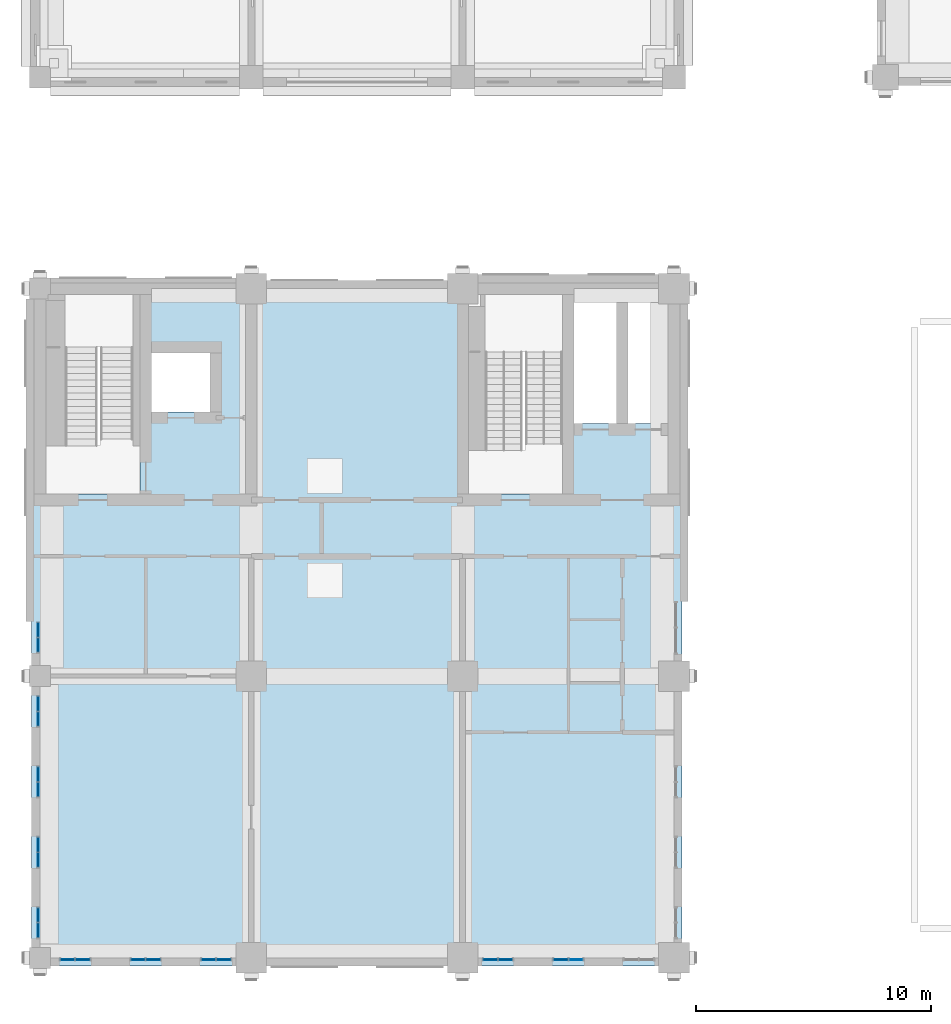
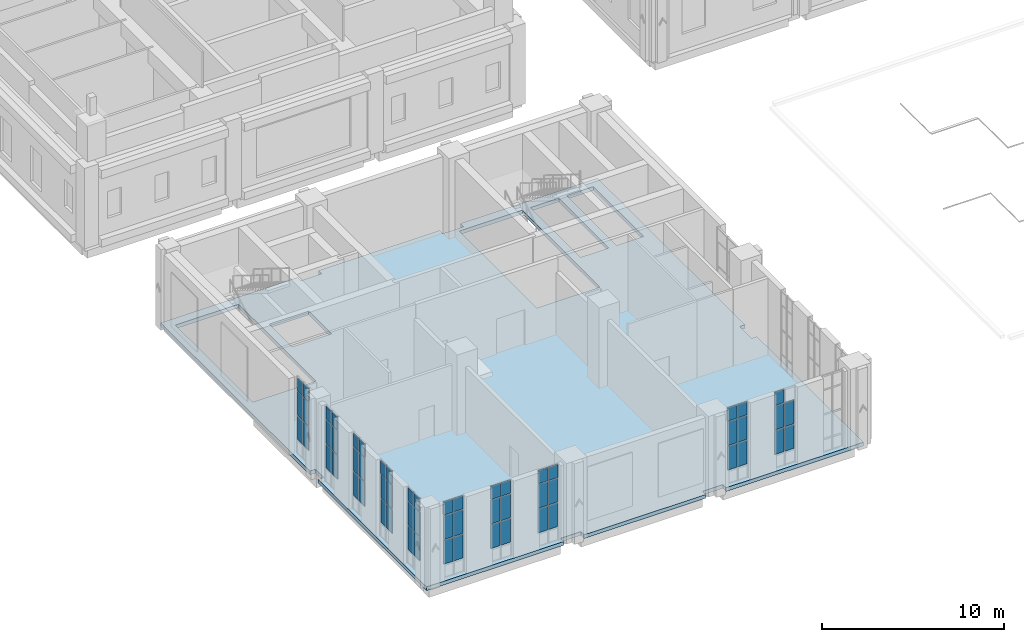
# One storey, part 12 of 37: 59 plates, 1 slab, 10 elements without a shape of their own.
"""IFC4 building model written with IfcOpenShell, lengths in metres."""

from ifc_helpers import new_model, si_unit, direction, frame, origin, origin_2d, place, context, subcontext, project, spatial, polyline, rectangle, outline, extrude, material, layer, layer_set, type_object, element, aggregate, save


model = new_model("IFC4")

# Units and contexts
model_context = context("Model", 3, precision=1e-05, world=origin(), true_north=direction((0.0, 1.0)))
body_context = subcontext(model_context, "Body", "Model", "MODEL_VIEW")
ifc_project = project(units=[si_unit("LENGTHUNIT", "METRE"), si_unit("AREAUNIT", "SQUARE_METRE"), si_unit("VOLUMEUNIT", "CUBIC_METRE"), si_unit("PLANEANGLEUNIT", "RADIAN"), si_unit("MASSUNIT", "GRAM", prefix="KILO")], contexts=[model_context])

# Site, building, storey
site_placement = place(None, origin())
site = spatial("IfcSite", under=ifc_project, at=site_placement, CompositionType="ELEMENT")
building_placement = place(site_placement, origin())
building = spatial("IfcBuilding", under=site, at=building_placement, Name="Aurelan Courthouse", CompositionType="ELEMENT")
storey_placement = place(building_placement, frame((0.0, 0.0, 17.39990234375)))
storey = spatial("IfcBuildingStorey", under=building, at=storey_placement, Name="L03", CompositionType="ELEMENT", Elevation=17.39990234375)

# Curtain wall, plates
ifc_material_1 = material(Name="Bronze-finished aluminium and glass", Category="aluminium")
ifc_layer_1 = layer(ifc_material_1, 0.14990234375)
ifc_layer_set_1 = layer_set([ifc_layer_1], Name="Bronze-finished aluminium and glass")
curtain_wall_type = type_object("IfcCurtainWallType", Name="Curtain wall 1350 x 5150", PredefinedType="NOTDEFINED", material=ifc_layer_set_1)
curtain_wall_1_placement = place(storey_placement, origin())
curtain_wall_1 = element("IfcCurtainWall", 1, at=curtain_wall_1_placement, inside=storey, type_object=curtain_wall_type, Name="Curtain wall CW-V5-L03-S01", PredefinedType="NOTDEFINED")
ifc_material_2 = material(Name="Limestone cladding", Category="masonry")
ifc_layer_2 = layer(ifc_material_2, 0.0400390625, Name="Facing")
ifc_material_3 = material(Name="Bronze sheet cladding", Category="bronze")
ifc_layer_3 = layer(ifc_material_3, 0.02001953125, Name="Back sheet")
ifc_layer_set_2 = layer_set([ifc_layer_2, ifc_layer_3], Name="Limestone cladding")
plate_type_1 = type_object("IfcPlateType", Name="Limestone spandrel panel with bronze back sheet 60", PredefinedType="CURTAIN_PANEL", material=ifc_layer_set_2)
plate_1_placement = place(storey_placement, frame((1.177490234375, -0.074951171875, 4.22998046875), z_axis=(0.0, 0.0, 1.0), x_axis=(1.0, 0.0, 0.0)))
plate_1 = element("IfcPlate", 2, at=plate_1_placement, type_object=plate_type_1, Name="CW-V5-L03-S01 spandrel panel 1.4", PredefinedType="CURTAIN_PANEL", context=body_context, shape_type="SweptSolid", body=[
    extrude(rectangle(XDim=0.5849609375, YDim=0.06005859375, at=origin_2d()), origin(), (0.0, 0.0, 1.0), 0.860107421875),
])
plate_2_placement = place(storey_placement, frame((1.822509765625, -0.074951171875, 4.22998046875), z_axis=(0.0, 0.0, 1.0), x_axis=(1.0, 0.0, 0.0)))
plate_2 = element("IfcPlate", 3, at=plate_2_placement, type_object=plate_type_1, Name="CW-V5-L03-S01 spandrel panel 2.4", PredefinedType="CURTAIN_PANEL", context=body_context, shape_type="SweptSolid", body=[
    extrude(rectangle(XDim=0.5849609375, YDim=0.06005859375, at=origin_2d()), origin(), (0.0, 0.0, 1.0), 0.860107421875),
])

curtain_wall_2_placement = place(storey_placement, origin())
curtain_wall_2 = element("IfcCurtainWall", 4, at=curtain_wall_2_placement, inside=storey, type_object=curtain_wall_type, Name="Curtain wall CW-V5-L03-S02", PredefinedType="NOTDEFINED")
plate_3_placement = place(storey_placement, frame((4.177490234375, -0.074951171875, 4.22998046875), z_axis=(0.0, 0.0, 1.0), x_axis=(1.0, 0.0, 0.0)))
plate_3 = element("IfcPlate", 5, at=plate_3_placement, type_object=plate_type_1, Name="CW-V5-L03-S02 spandrel panel 1.4", PredefinedType="CURTAIN_PANEL", context=body_context, shape_type="SweptSolid", body=[
    extrude(rectangle(XDim=0.5849609375, YDim=0.06005859375, at=origin_2d()), origin(), (0.0, 0.0, 1.0), 0.860107421875),
])
plate_4_placement = place(storey_placement, frame((4.822509765625, -0.074951171875, 4.22998046875), z_axis=(0.0, 0.0, 1.0), x_axis=(1.0, 0.0, 0.0)))
plate_4 = element("IfcPlate", 6, at=plate_4_placement, type_object=plate_type_1, Name="CW-V5-L03-S02 spandrel panel 2.4", PredefinedType="CURTAIN_PANEL", context=body_context, shape_type="SweptSolid", body=[
    extrude(rectangle(XDim=0.5849609375, YDim=0.06005859375, at=origin_2d()), origin(), (0.0, 0.0, 1.0), 0.860107421875),
])

curtain_wall_3_placement = place(storey_placement, origin())
curtain_wall_3 = element("IfcCurtainWall", 7, at=curtain_wall_3_placement, inside=storey, type_object=curtain_wall_type, Name="Curtain wall CW-V5-L03-S03", PredefinedType="NOTDEFINED")
plate_5_placement = place(storey_placement, frame((7.177490234375, -0.074951171875, 4.22998046875), z_axis=(0.0, 0.0, 1.0), x_axis=(1.0, 0.0, 0.0)))
plate_5 = element("IfcPlate", 8, at=plate_5_placement, type_object=plate_type_1, Name="CW-V5-L03-S03 spandrel panel 1.4", PredefinedType="CURTAIN_PANEL", context=body_context, shape_type="SweptSolid", body=[
    extrude(rectangle(XDim=0.5849609375, YDim=0.06005859375, at=origin_2d()), origin(), (0.0, 0.0, 1.0), 0.860107421875),
])
plate_6_placement = place(storey_placement, frame((7.822509765625, -0.074951171875, 4.22998046875), z_axis=(0.0, 0.0, 1.0), x_axis=(1.0, 0.0, 0.0)))
plate_6 = element("IfcPlate", 9, at=plate_6_placement, type_object=plate_type_1, Name="CW-V5-L03-S03 spandrel panel 2.4", PredefinedType="CURTAIN_PANEL", context=body_context, shape_type="SweptSolid", body=[
    extrude(rectangle(XDim=0.5849609375, YDim=0.06005859375, at=origin_2d()), origin(), (0.0, 0.0, 1.0), 0.860107421875),
])

curtain_wall_4_placement = place(storey_placement, origin())
curtain_wall_4 = element("IfcCurtainWall", 10, at=curtain_wall_4_placement, inside=storey, type_object=curtain_wall_type, Name="Curtain wall CW-V5-L03-S04", PredefinedType="NOTDEFINED")
plate_7_placement = place(storey_placement, frame((19.177490234375, -0.074951171875, 4.22998046875), z_axis=(0.0, 0.0, 1.0), x_axis=(1.0, 0.0, 0.0)))
plate_7 = element("IfcPlate", 11, at=plate_7_placement, type_object=plate_type_1, Name="CW-V5-L03-S04 spandrel panel 1.4", PredefinedType="CURTAIN_PANEL", context=body_context, shape_type="SweptSolid", body=[
    extrude(rectangle(XDim=0.5849609375, YDim=0.06005859375, at=origin_2d()), origin(), (0.0, 0.0, 1.0), 0.860107421875),
])
plate_8_placement = place(storey_placement, frame((19.822509765625, -0.074951171875, 4.22998046875), z_axis=(0.0, 0.0, 1.0), x_axis=(1.0, 0.0, 0.0)))
plate_8 = element("IfcPlate", 12, at=plate_8_placement, type_object=plate_type_1, Name="CW-V5-L03-S04 spandrel panel 2.4", PredefinedType="CURTAIN_PANEL", context=body_context, shape_type="SweptSolid", body=[
    extrude(rectangle(XDim=0.5849609375, YDim=0.06005859375, at=origin_2d()), origin(), (0.0, 0.0, 1.0), 0.860107421875),
])

# Curtain wall, plate
curtain_wall_5_placement = place(storey_placement, origin())
curtain_wall_5 = element("IfcCurtainWall", 13, at=curtain_wall_5_placement, inside=storey, type_object=curtain_wall_type, Name="Curtain wall CW-V5-L03-S05", PredefinedType="NOTDEFINED")
plate_9_placement = place(storey_placement, frame((22.177490234375, -0.074951171875, 4.22998046875), z_axis=(0.0, 0.0, 1.0), x_axis=(1.0, 0.0, 0.0)))
plate_9 = element("IfcPlate", 14, at=plate_9_placement, type_object=plate_type_1, Name="CW-V5-L03-S05 spandrel panel 1.4", PredefinedType="CURTAIN_PANEL", context=body_context, shape_type="SweptSolid", body=[
    extrude(rectangle(XDim=0.5849609375, YDim=0.06005859375, at=origin_2d()), origin(), (0.0, 0.0, 1.0), 0.860107421875),
])

# Curtain wall, plates
curtain_wall_6_placement = place(storey_placement, origin())
curtain_wall_6 = element("IfcCurtainWall", 15, at=curtain_wall_6_placement, inside=storey, type_object=curtain_wall_type, Name="Curtain wall CW-V5-L03-W01", PredefinedType="NOTDEFINED")
plate_10_placement = place(storey_placement, frame((-0.074951171875, 1.177490234375, 4.22998046875), z_axis=(0.0, 0.0, 1.0), x_axis=(0.0, 1.0, 0.0)))
plate_10 = element("IfcPlate", 16, at=plate_10_placement, type_object=plate_type_1, Name="CW-V5-L03-W01 spandrel panel 1.4", PredefinedType="CURTAIN_PANEL", context=body_context, shape_type="SweptSolid", body=[
    extrude(rectangle(XDim=0.5849609375, YDim=0.06005859375, at=origin_2d()), origin(), (0.0, 0.0, 1.0), 0.860107421875),
])
plate_11_placement = place(storey_placement, frame((-0.074951171875, 1.822509765625, 4.22998046875), z_axis=(0.0, 0.0, 1.0), x_axis=(0.0, 1.0, 0.0)))
plate_11 = element("IfcPlate", 17, at=plate_11_placement, type_object=plate_type_1, Name="CW-V5-L03-W01 spandrel panel 2.4", PredefinedType="CURTAIN_PANEL", context=body_context, shape_type="SweptSolid", body=[
    extrude(rectangle(XDim=0.5849609375, YDim=0.06005859375, at=origin_2d()), origin(), (0.0, 0.0, 1.0), 0.860107421875),
])

curtain_wall_7_placement = place(storey_placement, origin())
curtain_wall_7 = element("IfcCurtainWall", 18, at=curtain_wall_7_placement, inside=storey, type_object=curtain_wall_type, Name="Curtain wall CW-V5-L03-W02", PredefinedType="NOTDEFINED")
plate_12_placement = place(storey_placement, frame((-0.074951171875, 4.177490234375, 4.22998046875), z_axis=(0.0, 0.0, 1.0), x_axis=(0.0, 1.0, 0.0)))
plate_12 = element("IfcPlate", 19, at=plate_12_placement, type_object=plate_type_1, Name="CW-V5-L03-W02 spandrel panel 1.4", PredefinedType="CURTAIN_PANEL", context=body_context, shape_type="SweptSolid", body=[
    extrude(rectangle(XDim=0.5849609375, YDim=0.06005859375, at=origin_2d()), origin(), (0.0, 0.0, 1.0), 0.860107421875),
])
plate_13_placement = place(storey_placement, frame((-0.074951171875, 4.822509765625, 4.22998046875), z_axis=(0.0, 0.0, 1.0), x_axis=(0.0, 1.0, 0.0)))
plate_13 = element("IfcPlate", 20, at=plate_13_placement, type_object=plate_type_1, Name="CW-V5-L03-W02 spandrel panel 2.4", PredefinedType="CURTAIN_PANEL", context=body_context, shape_type="SweptSolid", body=[
    extrude(rectangle(XDim=0.5849609375, YDim=0.06005859375, at=origin_2d()), origin(), (0.0, 0.0, 1.0), 0.860107421875),
])

curtain_wall_8_placement = place(storey_placement, origin())
curtain_wall_8 = element("IfcCurtainWall", 21, at=curtain_wall_8_placement, inside=storey, type_object=curtain_wall_type, Name="Curtain wall CW-V5-L03-W03", PredefinedType="NOTDEFINED")
plate_14_placement = place(storey_placement, frame((-0.074951171875, 7.177490234375, 4.22998046875), z_axis=(0.0, 0.0, 1.0), x_axis=(0.0, 1.0, 0.0)))
plate_14 = element("IfcPlate", 22, at=plate_14_placement, type_object=plate_type_1, Name="CW-V5-L03-W03 spandrel panel 1.4", PredefinedType="CURTAIN_PANEL", context=body_context, shape_type="SweptSolid", body=[
    extrude(rectangle(XDim=0.5849609375, YDim=0.06005859375, at=origin_2d()), origin(), (0.0, 0.0, 1.0), 0.860107421875),
])
plate_15_placement = place(storey_placement, frame((-0.074951171875, 7.822509765625, 4.22998046875), z_axis=(0.0, 0.0, 1.0), x_axis=(0.0, 1.0, 0.0)))
plate_15 = element("IfcPlate", 23, at=plate_15_placement, type_object=plate_type_1, Name="CW-V5-L03-W03 spandrel panel 2.4", PredefinedType="CURTAIN_PANEL", context=body_context, shape_type="SweptSolid", body=[
    extrude(rectangle(XDim=0.5849609375, YDim=0.06005859375, at=origin_2d()), origin(), (0.0, 0.0, 1.0), 0.860107421875),
])

curtain_wall_9_placement = place(storey_placement, origin())
curtain_wall_9 = element("IfcCurtainWall", 24, at=curtain_wall_9_placement, inside=storey, type_object=curtain_wall_type, Name="Curtain wall CW-V5-L03-W04", PredefinedType="NOTDEFINED")
plate_16_placement = place(storey_placement, frame((-0.074951171875, 10.177490234375, 4.22998046875), z_axis=(0.0, 0.0, 1.0), x_axis=(0.0, 1.0, 0.0)))
plate_16 = element("IfcPlate", 25, at=plate_16_placement, type_object=plate_type_1, Name="CW-V5-L03-W04 spandrel panel 1.4", PredefinedType="CURTAIN_PANEL", context=body_context, shape_type="SweptSolid", body=[
    extrude(rectangle(XDim=0.5849609375, YDim=0.06005859375, at=origin_2d()), origin(), (0.0, 0.0, 1.0), 0.860107421875),
])
plate_17_placement = place(storey_placement, frame((-0.074951171875, 10.822509765625, 4.22998046875), z_axis=(0.0, 0.0, 1.0), x_axis=(0.0, 1.0, 0.0)))
plate_17 = element("IfcPlate", 26, at=plate_17_placement, type_object=plate_type_1, Name="CW-V5-L03-W04 spandrel panel 2.4", PredefinedType="CURTAIN_PANEL", context=body_context, shape_type="SweptSolid", body=[
    extrude(rectangle(XDim=0.5849609375, YDim=0.06005859375, at=origin_2d()), origin(), (0.0, 0.0, 1.0), 0.860107421875),
])

curtain_wall_10_placement = place(storey_placement, origin())
curtain_wall_10 = element("IfcCurtainWall", 27, at=curtain_wall_10_placement, inside=storey, type_object=curtain_wall_type, Name="Curtain wall CW-V5-L03-W05", PredefinedType="NOTDEFINED")
plate_18_placement = place(storey_placement, frame((-0.074951171875, 13.327392578125, 4.22998046875), z_axis=(0.0, 0.0, 1.0), x_axis=(0.0, 1.0, 0.0)))
plate_18 = element("IfcPlate", 28, at=plate_18_placement, type_object=plate_type_1, Name="CW-V5-L03-W05 spandrel panel 1.4", PredefinedType="CURTAIN_PANEL", context=body_context, shape_type="SweptSolid", body=[
    extrude(rectangle(XDim=0.5849609375, YDim=0.06005859375, at=origin_2d()), origin(), (0.0, 0.0, 1.0), 0.860107421875),
])
plate_19_placement = place(storey_placement, frame((-0.074951171875, 13.972412109375, 4.22998046875), z_axis=(0.0, 0.0, 1.0), x_axis=(0.0, 1.0, 0.0)))
plate_19 = element("IfcPlate", 29, at=plate_19_placement, type_object=plate_type_1, Name="CW-V5-L03-W05 spandrel panel 2.4", PredefinedType="CURTAIN_PANEL", context=body_context, shape_type="SweptSolid", body=[
    extrude(rectangle(XDim=0.5849609375, YDim=0.06005859375, at=origin_2d()), origin(), (0.0, 0.0, 1.0), 0.860107421875),
])

# Slab
ifc_material_4 = material(Name="Concrete C40", Category="concrete")
ifc_layer_4 = layer(ifc_material_4, 0.25)
ifc_layer_set_3 = layer_set([ifc_layer_4], Name="Concrete C40")
slab_type = type_object("IfcSlabType", Name="PT floor slab 250", PredefinedType="FLOOR", material=ifc_layer_set_3)
slab_placement = place(storey_placement, frame((0.0, 0.0, -0.25)))
element("IfcSlab", 30, at=slab_placement, inside=storey, type_object=slab_type, Name="Floor slab SL-L03-03", PredefinedType="FLOOR", context=body_context, shape_type="SweptSolid", body=[
    extrude(outline(polyline([(0.0, 12.449951171875), (0.0, 11.550048828125), (-0.35009765625, 11.550048828125), (-0.35009765625, 0.449951171875), (-0.35009765625, -0.35009765625), (0.449951171875, -0.35009765625), (8.35009765625, -0.35009765625), (8.35009765625, 0.0), (9.64990234375, 0.0), (9.64990234375, -0.35009765625), (17.35009765625, -0.35009765625), (17.35009765625, 0.0), (18.64990234375, 0.0), (18.64990234375, -0.35009765625), (26.35009765625, -0.35009765625), (27.35009765625, -0.35009765625), (27.35009765625, 0.64990234375), (27.35009765625, 11.35009765625), (27.0, 11.35009765625), (27.0, 12.64990234375), (27.35009765625, 12.64990234375), (27.35009765625, 27.85009765625), (27.35009765625, 28.85009765625), (26.35009765625, 28.85009765625), (18.64990234375, 28.85009765625), (18.64990234375, 28.5), (17.35009765625, 28.5), (17.35009765625, 28.85009765625), (9.64990234375, 28.85009765625), (9.64990234375, 28.5), (8.35009765625, 28.5), (8.35009765625, 28.85009765625), (0.449951171875, 28.85009765625), (-0.35009765625, 28.85009765625), (-0.35009765625, 28.050048828125), (-0.35009765625, 12.449951171875), (0.0, 12.449951171875)]), holes=[polyline([(26.75, 28.25), (26.75, 22.75), (25.050048828125, 22.75), (25.050048828125, 28.25), (26.75, 28.25)]), polyline([(22.75, 28.25), (24.550048828125, 28.25), (24.550048828125, 22.75), (22.75, 22.75), (22.75, 28.25)]), polyline([(22.25, 28.25), (22.25, 19.75), (18.25, 19.75), (18.25, 28.25), (22.25, 28.25)]), polyline([(4.75, 23.25), (4.75, 25.75), (7.25, 25.75), (7.25, 23.25), (4.75, 23.25)]), polyline([(4.25, 19.75), (0.25, 19.75), (0.25, 28.25), (4.25, 28.25), (4.25, 19.75)])]), origin(), (0.0, 0.0, 1.0), 0.25),
])

# Plate
ifc_material_5 = material(Name="Laminated low-emissivity glass", Category="glass")
ifc_layer_5 = layer(ifc_material_5, 0.028076171875)
ifc_layer_set_4 = layer_set([ifc_layer_5], Name="Laminated low-emissivity glass")
plate_type_2 = type_object("IfcPlateType", Name="Vision glass panel 28", PredefinedType="CURTAIN_PANEL", material=ifc_layer_set_4)
plate_20_placement = place(storey_placement, frame((1.177490234375, -0.074951171875, 0.93017578125), z_axis=(0.0, 0.0, 1.0), x_axis=(1.0, 0.0, 0.0)))
plate_20 = element("IfcPlate", 31, at=plate_20_placement, type_object=plate_type_2, Name="CW-V5-L03-S01 vision panel 1.2", PredefinedType="CURTAIN_PANEL", context=body_context, shape_type="SweptSolid", body=[
    extrude(rectangle(XDim=0.5849609375, YDim=0.028076171875, at=origin_2d()), origin(), (0.0, 0.0, 1.0), 1.590087890625),
])

plate_21_placement = place(storey_placement, frame((1.177490234375, -0.074951171875, 2.580078125), z_axis=(0.0, 0.0, 1.0), x_axis=(1.0, 0.0, 0.0)))
plate_21 = element("IfcPlate", 32, at=plate_21_placement, type_object=plate_type_2, Name="CW-V5-L03-S01 vision panel 1.3", PredefinedType="CURTAIN_PANEL", context=body_context, shape_type="SweptSolid", body=[
    extrude(rectangle(XDim=0.5849609375, YDim=0.028076171875, at=origin_2d()), origin(), (0.0, 0.0, 1.0), 1.590087890625),
])

plate_22_placement = place(storey_placement, frame((1.822509765625, -0.074951171875, 0.93017578125), z_axis=(0.0, 0.0, 1.0), x_axis=(1.0, 0.0, 0.0)))
plate_22 = element("IfcPlate", 33, at=plate_22_placement, type_object=plate_type_2, Name="CW-V5-L03-S01 vision panel 2.2", PredefinedType="CURTAIN_PANEL", context=body_context, shape_type="SweptSolid", body=[
    extrude(rectangle(XDim=0.5849609375, YDim=0.028076171875, at=origin_2d()), origin(), (0.0, 0.0, 1.0), 1.590087890625),
])

plate_23_placement = place(storey_placement, frame((1.822509765625, -0.074951171875, 2.580078125), z_axis=(0.0, 0.0, 1.0), x_axis=(1.0, 0.0, 0.0)))
plate_23 = element("IfcPlate", 34, at=plate_23_placement, type_object=plate_type_2, Name="CW-V5-L03-S01 vision panel 2.3", PredefinedType="CURTAIN_PANEL", context=body_context, shape_type="SweptSolid", body=[
    extrude(rectangle(XDim=0.5849609375, YDim=0.028076171875, at=origin_2d()), origin(), (0.0, 0.0, 1.0), 1.590087890625),
])

aggregate(curtain_wall_1, [plate_20, plate_21, plate_1, plate_22, plate_23, plate_2])

plate_24_placement = place(storey_placement, frame((4.177490234375, -0.074951171875, 0.93017578125), z_axis=(0.0, 0.0, 1.0), x_axis=(1.0, 0.0, 0.0)))
plate_24 = element("IfcPlate", 35, at=plate_24_placement, type_object=plate_type_2, Name="CW-V5-L03-S02 vision panel 1.2", PredefinedType="CURTAIN_PANEL", context=body_context, shape_type="SweptSolid", body=[
    extrude(rectangle(XDim=0.5849609375, YDim=0.028076171875, at=origin_2d()), origin(), (0.0, 0.0, 1.0), 1.590087890625),
])

plate_25_placement = place(storey_placement, frame((4.177490234375, -0.074951171875, 2.580078125), z_axis=(0.0, 0.0, 1.0), x_axis=(1.0, 0.0, 0.0)))
plate_25 = element("IfcPlate", 36, at=plate_25_placement, type_object=plate_type_2, Name="CW-V5-L03-S02 vision panel 1.3", PredefinedType="CURTAIN_PANEL", context=body_context, shape_type="SweptSolid", body=[
    extrude(rectangle(XDim=0.5849609375, YDim=0.028076171875, at=origin_2d()), origin(), (0.0, 0.0, 1.0), 1.590087890625),
])

plate_26_placement = place(storey_placement, frame((4.822509765625, -0.074951171875, 0.93017578125), z_axis=(0.0, 0.0, 1.0), x_axis=(1.0, 0.0, 0.0)))
plate_26 = element("IfcPlate", 37, at=plate_26_placement, type_object=plate_type_2, Name="CW-V5-L03-S02 vision panel 2.2", PredefinedType="CURTAIN_PANEL", context=body_context, shape_type="SweptSolid", body=[
    extrude(rectangle(XDim=0.5849609375, YDim=0.028076171875, at=origin_2d()), origin(), (0.0, 0.0, 1.0), 1.590087890625),
])

plate_27_placement = place(storey_placement, frame((4.822509765625, -0.074951171875, 2.580078125), z_axis=(0.0, 0.0, 1.0), x_axis=(1.0, 0.0, 0.0)))
plate_27 = element("IfcPlate", 38, at=plate_27_placement, type_object=plate_type_2, Name="CW-V5-L03-S02 vision panel 2.3", PredefinedType="CURTAIN_PANEL", context=body_context, shape_type="SweptSolid", body=[
    extrude(rectangle(XDim=0.5849609375, YDim=0.028076171875, at=origin_2d()), origin(), (0.0, 0.0, 1.0), 1.590087890625),
])

aggregate(curtain_wall_2, [plate_24, plate_25, plate_3, plate_26, plate_27, plate_4])

plate_28_placement = place(storey_placement, frame((7.177490234375, -0.074951171875, 0.93017578125), z_axis=(0.0, 0.0, 1.0), x_axis=(1.0, 0.0, 0.0)))
plate_28 = element("IfcPlate", 39, at=plate_28_placement, type_object=plate_type_2, Name="CW-V5-L03-S03 vision panel 1.2", PredefinedType="CURTAIN_PANEL", context=body_context, shape_type="SweptSolid", body=[
    extrude(rectangle(XDim=0.5849609375, YDim=0.028076171875, at=origin_2d()), origin(), (0.0, 0.0, 1.0), 1.590087890625),
])

plate_29_placement = place(storey_placement, frame((7.177490234375, -0.074951171875, 2.580078125), z_axis=(0.0, 0.0, 1.0), x_axis=(1.0, 0.0, 0.0)))
plate_29 = element("IfcPlate", 40, at=plate_29_placement, type_object=plate_type_2, Name="CW-V5-L03-S03 vision panel 1.3", PredefinedType="CURTAIN_PANEL", context=body_context, shape_type="SweptSolid", body=[
    extrude(rectangle(XDim=0.5849609375, YDim=0.028076171875, at=origin_2d()), origin(), (0.0, 0.0, 1.0), 1.590087890625),
])

plate_30_placement = place(storey_placement, frame((7.822509765625, -0.074951171875, 0.93017578125), z_axis=(0.0, 0.0, 1.0), x_axis=(1.0, 0.0, 0.0)))
plate_30 = element("IfcPlate", 41, at=plate_30_placement, type_object=plate_type_2, Name="CW-V5-L03-S03 vision panel 2.2", PredefinedType="CURTAIN_PANEL", context=body_context, shape_type="SweptSolid", body=[
    extrude(rectangle(XDim=0.5849609375, YDim=0.028076171875, at=origin_2d()), origin(), (0.0, 0.0, 1.0), 1.590087890625),
])

plate_31_placement = place(storey_placement, frame((7.822509765625, -0.074951171875, 2.580078125), z_axis=(0.0, 0.0, 1.0), x_axis=(1.0, 0.0, 0.0)))
plate_31 = element("IfcPlate", 42, at=plate_31_placement, type_object=plate_type_2, Name="CW-V5-L03-S03 vision panel 2.3", PredefinedType="CURTAIN_PANEL", context=body_context, shape_type="SweptSolid", body=[
    extrude(rectangle(XDim=0.5849609375, YDim=0.028076171875, at=origin_2d()), origin(), (0.0, 0.0, 1.0), 1.590087890625),
])

aggregate(curtain_wall_3, [plate_28, plate_29, plate_5, plate_30, plate_31, plate_6])

plate_32_placement = place(storey_placement, frame((19.177490234375, -0.074951171875, 0.93017578125), z_axis=(0.0, 0.0, 1.0), x_axis=(1.0, 0.0, 0.0)))
plate_32 = element("IfcPlate", 43, at=plate_32_placement, type_object=plate_type_2, Name="CW-V5-L03-S04 vision panel 1.2", PredefinedType="CURTAIN_PANEL", context=body_context, shape_type="SweptSolid", body=[
    extrude(rectangle(XDim=0.5849609375, YDim=0.028076171875, at=origin_2d()), origin(), (0.0, 0.0, 1.0), 1.590087890625),
])

plate_33_placement = place(storey_placement, frame((19.177490234375, -0.074951171875, 2.580078125), z_axis=(0.0, 0.0, 1.0), x_axis=(1.0, 0.0, 0.0)))
plate_33 = element("IfcPlate", 44, at=plate_33_placement, type_object=plate_type_2, Name="CW-V5-L03-S04 vision panel 1.3", PredefinedType="CURTAIN_PANEL", context=body_context, shape_type="SweptSolid", body=[
    extrude(rectangle(XDim=0.5849609375, YDim=0.028076171875, at=origin_2d()), origin(), (0.0, 0.0, 1.0), 1.590087890625),
])

plate_34_placement = place(storey_placement, frame((19.822509765625, -0.074951171875, 0.93017578125), z_axis=(0.0, 0.0, 1.0), x_axis=(1.0, 0.0, 0.0)))
plate_34 = element("IfcPlate", 45, at=plate_34_placement, type_object=plate_type_2, Name="CW-V5-L03-S04 vision panel 2.2", PredefinedType="CURTAIN_PANEL", context=body_context, shape_type="SweptSolid", body=[
    extrude(rectangle(XDim=0.5849609375, YDim=0.028076171875, at=origin_2d()), origin(), (0.0, 0.0, 1.0), 1.590087890625),
])

plate_35_placement = place(storey_placement, frame((19.822509765625, -0.074951171875, 2.580078125), z_axis=(0.0, 0.0, 1.0), x_axis=(1.0, 0.0, 0.0)))
plate_35 = element("IfcPlate", 46, at=plate_35_placement, type_object=plate_type_2, Name="CW-V5-L03-S04 vision panel 2.3", PredefinedType="CURTAIN_PANEL", context=body_context, shape_type="SweptSolid", body=[
    extrude(rectangle(XDim=0.5849609375, YDim=0.028076171875, at=origin_2d()), origin(), (0.0, 0.0, 1.0), 1.590087890625),
])

aggregate(curtain_wall_4, [plate_32, plate_33, plate_7, plate_34, plate_35, plate_8])

plate_36_placement = place(storey_placement, frame((22.177490234375, -0.074951171875, 0.93017578125), z_axis=(0.0, 0.0, 1.0), x_axis=(1.0, 0.0, 0.0)))
plate_36 = element("IfcPlate", 47, at=plate_36_placement, type_object=plate_type_2, Name="CW-V5-L03-S05 vision panel 1.2", PredefinedType="CURTAIN_PANEL", context=body_context, shape_type="SweptSolid", body=[
    extrude(rectangle(XDim=0.5849609375, YDim=0.028076171875, at=origin_2d()), origin(), (0.0, 0.0, 1.0), 1.590087890625),
])

plate_37_placement = place(storey_placement, frame((22.177490234375, -0.074951171875, 2.580078125), z_axis=(0.0, 0.0, 1.0), x_axis=(1.0, 0.0, 0.0)))
plate_37 = element("IfcPlate", 48, at=plate_37_placement, type_object=plate_type_2, Name="CW-V5-L03-S05 vision panel 1.3", PredefinedType="CURTAIN_PANEL", context=body_context, shape_type="SweptSolid", body=[
    extrude(rectangle(XDim=0.5849609375, YDim=0.028076171875, at=origin_2d()), origin(), (0.0, 0.0, 1.0), 1.590087890625),
])

plate_38_placement = place(storey_placement, frame((22.822509765625, -0.074951171875, 0.93017578125), z_axis=(0.0, 0.0, 1.0), x_axis=(1.0, 0.0, 0.0)))
plate_38 = element("IfcPlate", 49, at=plate_38_placement, type_object=plate_type_2, Name="CW-V5-L03-S05 vision panel 2.2", PredefinedType="CURTAIN_PANEL", context=body_context, shape_type="SweptSolid", body=[
    extrude(rectangle(XDim=0.5849609375, YDim=0.028076171875, at=origin_2d()), origin(), (0.0, 0.0, 1.0), 1.590087890625),
])

plate_39_placement = place(storey_placement, frame((22.822509765625, -0.074951171875, 2.580078125), z_axis=(0.0, 0.0, 1.0), x_axis=(1.0, 0.0, 0.0)))
plate_39 = element("IfcPlate", 50, at=plate_39_placement, type_object=plate_type_2, Name="CW-V5-L03-S05 vision panel 2.3", PredefinedType="CURTAIN_PANEL", context=body_context, shape_type="SweptSolid", body=[
    extrude(rectangle(XDim=0.5849609375, YDim=0.028076171875, at=origin_2d()), origin(), (0.0, 0.0, 1.0), 1.590087890625),
])

aggregate(curtain_wall_5, [plate_36, plate_37, plate_9, plate_38, plate_39])

plate_40_placement = place(storey_placement, frame((-0.074951171875, 1.177490234375, 0.93017578125), z_axis=(0.0, 0.0, 1.0), x_axis=(0.0, 1.0, 0.0)))
plate_40 = element("IfcPlate", 51, at=plate_40_placement, type_object=plate_type_2, Name="CW-V5-L03-W01 vision panel 1.2", PredefinedType="CURTAIN_PANEL", context=body_context, shape_type="SweptSolid", body=[
    extrude(rectangle(XDim=0.5849609375, YDim=0.028076171875, at=origin_2d()), origin(), (0.0, 0.0, 1.0), 1.590087890625),
])

plate_41_placement = place(storey_placement, frame((-0.074951171875, 1.177490234375, 2.580078125), z_axis=(0.0, 0.0, 1.0), x_axis=(0.0, 1.0, 0.0)))
plate_41 = element("IfcPlate", 52, at=plate_41_placement, type_object=plate_type_2, Name="CW-V5-L03-W01 vision panel 1.3", PredefinedType="CURTAIN_PANEL", context=body_context, shape_type="SweptSolid", body=[
    extrude(rectangle(XDim=0.5849609375, YDim=0.028076171875, at=origin_2d()), origin(), (0.0, 0.0, 1.0), 1.590087890625),
])

plate_42_placement = place(storey_placement, frame((-0.074951171875, 1.822509765625, 0.93017578125), z_axis=(0.0, 0.0, 1.0), x_axis=(0.0, 1.0, 0.0)))
plate_42 = element("IfcPlate", 53, at=plate_42_placement, type_object=plate_type_2, Name="CW-V5-L03-W01 vision panel 2.2", PredefinedType="CURTAIN_PANEL", context=body_context, shape_type="SweptSolid", body=[
    extrude(rectangle(XDim=0.5849609375, YDim=0.028076171875, at=origin_2d()), origin(), (0.0, 0.0, 1.0), 1.590087890625),
])

plate_43_placement = place(storey_placement, frame((-0.074951171875, 1.822509765625, 2.580078125), z_axis=(0.0, 0.0, 1.0), x_axis=(0.0, 1.0, 0.0)))
plate_43 = element("IfcPlate", 54, at=plate_43_placement, type_object=plate_type_2, Name="CW-V5-L03-W01 vision panel 2.3", PredefinedType="CURTAIN_PANEL", context=body_context, shape_type="SweptSolid", body=[
    extrude(rectangle(XDim=0.5849609375, YDim=0.028076171875, at=origin_2d()), origin(), (0.0, 0.0, 1.0), 1.590087890625),
])

aggregate(curtain_wall_6, [plate_40, plate_41, plate_10, plate_42, plate_43, plate_11])

plate_44_placement = place(storey_placement, frame((-0.074951171875, 4.177490234375, 0.93017578125), z_axis=(0.0, 0.0, 1.0), x_axis=(0.0, 1.0, 0.0)))
plate_44 = element("IfcPlate", 55, at=plate_44_placement, type_object=plate_type_2, Name="CW-V5-L03-W02 vision panel 1.2", PredefinedType="CURTAIN_PANEL", context=body_context, shape_type="SweptSolid", body=[
    extrude(rectangle(XDim=0.5849609375, YDim=0.028076171875, at=origin_2d()), origin(), (0.0, 0.0, 1.0), 1.590087890625),
])

plate_45_placement = place(storey_placement, frame((-0.074951171875, 4.177490234375, 2.580078125), z_axis=(0.0, 0.0, 1.0), x_axis=(0.0, 1.0, 0.0)))
plate_45 = element("IfcPlate", 56, at=plate_45_placement, type_object=plate_type_2, Name="CW-V5-L03-W02 vision panel 1.3", PredefinedType="CURTAIN_PANEL", context=body_context, shape_type="SweptSolid", body=[
    extrude(rectangle(XDim=0.5849609375, YDim=0.028076171875, at=origin_2d()), origin(), (0.0, 0.0, 1.0), 1.590087890625),
])

plate_46_placement = place(storey_placement, frame((-0.074951171875, 4.822509765625, 0.93017578125), z_axis=(0.0, 0.0, 1.0), x_axis=(0.0, 1.0, 0.0)))
plate_46 = element("IfcPlate", 57, at=plate_46_placement, type_object=plate_type_2, Name="CW-V5-L03-W02 vision panel 2.2", PredefinedType="CURTAIN_PANEL", context=body_context, shape_type="SweptSolid", body=[
    extrude(rectangle(XDim=0.5849609375, YDim=0.028076171875, at=origin_2d()), origin(), (0.0, 0.0, 1.0), 1.590087890625),
])

plate_47_placement = place(storey_placement, frame((-0.074951171875, 4.822509765625, 2.580078125), z_axis=(0.0, 0.0, 1.0), x_axis=(0.0, 1.0, 0.0)))
plate_47 = element("IfcPlate", 58, at=plate_47_placement, type_object=plate_type_2, Name="CW-V5-L03-W02 vision panel 2.3", PredefinedType="CURTAIN_PANEL", context=body_context, shape_type="SweptSolid", body=[
    extrude(rectangle(XDim=0.5849609375, YDim=0.028076171875, at=origin_2d()), origin(), (0.0, 0.0, 1.0), 1.590087890625),
])

aggregate(curtain_wall_7, [plate_44, plate_45, plate_12, plate_46, plate_47, plate_13])

plate_48_placement = place(storey_placement, frame((-0.074951171875, 7.177490234375, 0.93017578125), z_axis=(0.0, 0.0, 1.0), x_axis=(0.0, 1.0, 0.0)))
plate_48 = element("IfcPlate", 59, at=plate_48_placement, type_object=plate_type_2, Name="CW-V5-L03-W03 vision panel 1.2", PredefinedType="CURTAIN_PANEL", context=body_context, shape_type="SweptSolid", body=[
    extrude(rectangle(XDim=0.5849609375, YDim=0.028076171875, at=origin_2d()), origin(), (0.0, 0.0, 1.0), 1.590087890625),
])

plate_49_placement = place(storey_placement, frame((-0.074951171875, 7.177490234375, 2.580078125), z_axis=(0.0, 0.0, 1.0), x_axis=(0.0, 1.0, 0.0)))
plate_49 = element("IfcPlate", 60, at=plate_49_placement, type_object=plate_type_2, Name="CW-V5-L03-W03 vision panel 1.3", PredefinedType="CURTAIN_PANEL", context=body_context, shape_type="SweptSolid", body=[
    extrude(rectangle(XDim=0.5849609375, YDim=0.028076171875, at=origin_2d()), origin(), (0.0, 0.0, 1.0), 1.590087890625),
])

plate_50_placement = place(storey_placement, frame((-0.074951171875, 7.822509765625, 0.93017578125), z_axis=(0.0, 0.0, 1.0), x_axis=(0.0, 1.0, 0.0)))
plate_50 = element("IfcPlate", 61, at=plate_50_placement, type_object=plate_type_2, Name="CW-V5-L03-W03 vision panel 2.2", PredefinedType="CURTAIN_PANEL", context=body_context, shape_type="SweptSolid", body=[
    extrude(rectangle(XDim=0.5849609375, YDim=0.028076171875, at=origin_2d()), origin(), (0.0, 0.0, 1.0), 1.590087890625),
])

plate_51_placement = place(storey_placement, frame((-0.074951171875, 7.822509765625, 2.580078125), z_axis=(0.0, 0.0, 1.0), x_axis=(0.0, 1.0, 0.0)))
plate_51 = element("IfcPlate", 62, at=plate_51_placement, type_object=plate_type_2, Name="CW-V5-L03-W03 vision panel 2.3", PredefinedType="CURTAIN_PANEL", context=body_context, shape_type="SweptSolid", body=[
    extrude(rectangle(XDim=0.5849609375, YDim=0.028076171875, at=origin_2d()), origin(), (0.0, 0.0, 1.0), 1.590087890625),
])

aggregate(curtain_wall_8, [plate_48, plate_49, plate_14, plate_50, plate_51, plate_15])

plate_52_placement = place(storey_placement, frame((-0.074951171875, 10.177490234375, 0.93017578125), z_axis=(0.0, 0.0, 1.0), x_axis=(0.0, 1.0, 0.0)))
plate_52 = element("IfcPlate", 63, at=plate_52_placement, type_object=plate_type_2, Name="CW-V5-L03-W04 vision panel 1.2", PredefinedType="CURTAIN_PANEL", context=body_context, shape_type="SweptSolid", body=[
    extrude(rectangle(XDim=0.5849609375, YDim=0.028076171875, at=origin_2d()), origin(), (0.0, 0.0, 1.0), 1.590087890625),
])

plate_53_placement = place(storey_placement, frame((-0.074951171875, 10.177490234375, 2.580078125), z_axis=(0.0, 0.0, 1.0), x_axis=(0.0, 1.0, 0.0)))
plate_53 = element("IfcPlate", 64, at=plate_53_placement, type_object=plate_type_2, Name="CW-V5-L03-W04 vision panel 1.3", PredefinedType="CURTAIN_PANEL", context=body_context, shape_type="SweptSolid", body=[
    extrude(rectangle(XDim=0.5849609375, YDim=0.028076171875, at=origin_2d()), origin(), (0.0, 0.0, 1.0), 1.590087890625),
])

plate_54_placement = place(storey_placement, frame((-0.074951171875, 10.822509765625, 0.93017578125), z_axis=(0.0, 0.0, 1.0), x_axis=(0.0, 1.0, 0.0)))
plate_54 = element("IfcPlate", 65, at=plate_54_placement, type_object=plate_type_2, Name="CW-V5-L03-W04 vision panel 2.2", PredefinedType="CURTAIN_PANEL", context=body_context, shape_type="SweptSolid", body=[
    extrude(rectangle(XDim=0.5849609375, YDim=0.028076171875, at=origin_2d()), origin(), (0.0, 0.0, 1.0), 1.590087890625),
])

plate_55_placement = place(storey_placement, frame((-0.074951171875, 10.822509765625, 2.580078125), z_axis=(0.0, 0.0, 1.0), x_axis=(0.0, 1.0, 0.0)))
plate_55 = element("IfcPlate", 66, at=plate_55_placement, type_object=plate_type_2, Name="CW-V5-L03-W04 vision panel 2.3", PredefinedType="CURTAIN_PANEL", context=body_context, shape_type="SweptSolid", body=[
    extrude(rectangle(XDim=0.5849609375, YDim=0.028076171875, at=origin_2d()), origin(), (0.0, 0.0, 1.0), 1.590087890625),
])

aggregate(curtain_wall_9, [plate_52, plate_53, plate_16, plate_54, plate_55, plate_17])

plate_56_placement = place(storey_placement, frame((-0.074951171875, 13.327392578125, 0.93017578125), z_axis=(0.0, 0.0, 1.0), x_axis=(0.0, 1.0, 0.0)))
plate_56 = element("IfcPlate", 67, at=plate_56_placement, type_object=plate_type_2, Name="CW-V5-L03-W05 vision panel 1.2", PredefinedType="CURTAIN_PANEL", context=body_context, shape_type="SweptSolid", body=[
    extrude(rectangle(XDim=0.5849609375, YDim=0.028076171875, at=origin_2d()), origin(), (0.0, 0.0, 1.0), 1.590087890625),
])

plate_57_placement = place(storey_placement, frame((-0.074951171875, 13.327392578125, 2.580078125), z_axis=(0.0, 0.0, 1.0), x_axis=(0.0, 1.0, 0.0)))
plate_57 = element("IfcPlate", 68, at=plate_57_placement, type_object=plate_type_2, Name="CW-V5-L03-W05 vision panel 1.3", PredefinedType="CURTAIN_PANEL", context=body_context, shape_type="SweptSolid", body=[
    extrude(rectangle(XDim=0.5849609375, YDim=0.028076171875, at=origin_2d()), origin(), (0.0, 0.0, 1.0), 1.590087890625),
])

plate_58_placement = place(storey_placement, frame((-0.074951171875, 13.972412109375, 0.93017578125), z_axis=(0.0, 0.0, 1.0), x_axis=(0.0, 1.0, 0.0)))
plate_58 = element("IfcPlate", 69, at=plate_58_placement, type_object=plate_type_2, Name="CW-V5-L03-W05 vision panel 2.2", PredefinedType="CURTAIN_PANEL", context=body_context, shape_type="SweptSolid", body=[
    extrude(rectangle(XDim=0.5849609375, YDim=0.028076171875, at=origin_2d()), origin(), (0.0, 0.0, 1.0), 1.590087890625),
])

plate_59_placement = place(storey_placement, frame((-0.074951171875, 13.972412109375, 2.580078125), z_axis=(0.0, 0.0, 1.0), x_axis=(0.0, 1.0, 0.0)))
plate_59 = element("IfcPlate", 70, at=plate_59_placement, type_object=plate_type_2, Name="CW-V5-L03-W05 vision panel 2.3", PredefinedType="CURTAIN_PANEL", context=body_context, shape_type="SweptSolid", body=[
    extrude(rectangle(XDim=0.5849609375, YDim=0.028076171875, at=origin_2d()), origin(), (0.0, 0.0, 1.0), 1.590087890625),
])

aggregate(curtain_wall_10, [plate_56, plate_57, plate_18, plate_58, plate_59, plate_19])

save(model, "model.ifc")
